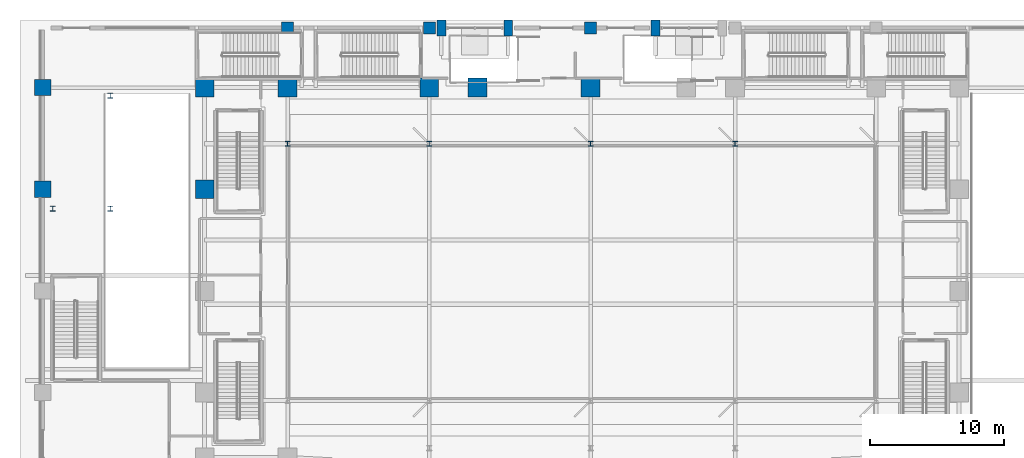
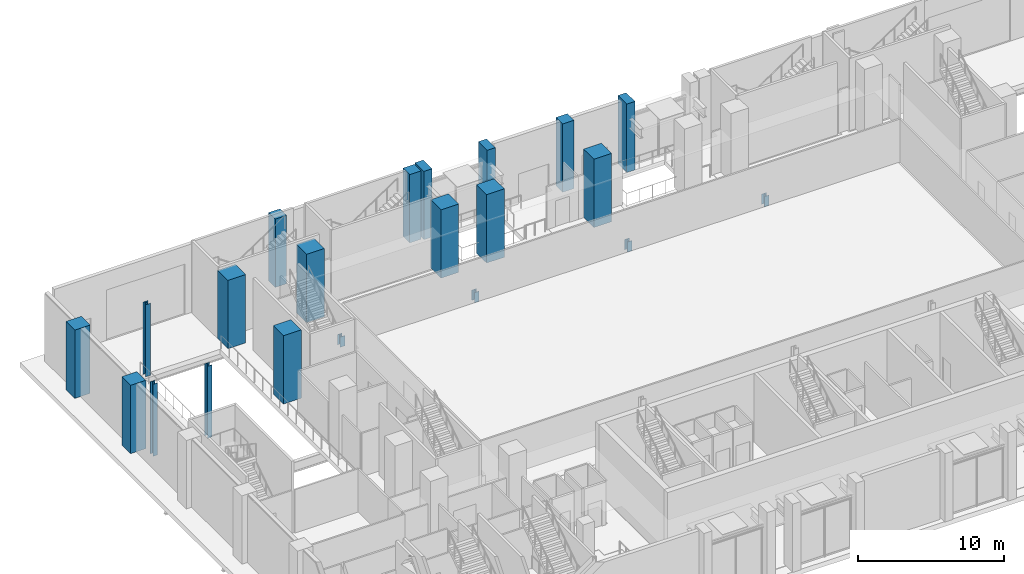
# One storey, part 3 of 36: 21 columns.
"""IFC4 building model written with IfcOpenShell, lengths in metres."""

from ifc_helpers import new_model, si_unit, direction, frame, origin, origin_2d, place, context, subcontext, project, spatial, rectangle, i_section, extrude, material, material_profile, profile_set, type_object, element, save


model = new_model("IFC4")

# Units and contexts
model_context = context("Model", 3, precision=1e-05, world=origin(), true_north=direction((0.0, 1.0)))
body_context = subcontext(model_context, "Body", "Model", "MODEL_VIEW")
ifc_project = project(units=[si_unit("LENGTHUNIT", "METRE"), si_unit("AREAUNIT", "SQUARE_METRE"), si_unit("VOLUMEUNIT", "CUBIC_METRE"), si_unit("PLANEANGLEUNIT", "RADIAN"), si_unit("MASSUNIT", "GRAM", prefix="KILO")], contexts=[model_context])

# Site, building, storey
site_placement = place(None, origin())
site = spatial("IfcSite", under=ifc_project, at=site_placement, CompositionType="ELEMENT")
building_placement = place(site_placement, origin())
building = spatial("IfcBuilding", under=site, at=building_placement, Name="Ndaravel Arena Tower", CompositionType="ELEMENT")
storey_placement = place(building_placement, origin())
storey = spatial("IfcBuildingStorey", under=building, at=storey_placement, Name="L00", CompositionType="ELEMENT", Elevation=0.0)

# Columns
ifc_material_1 = material(Name="Concrete C40/50", Category="concrete")
ifc_material_profile_1 = material_profile(ifc_material_1, rectangle(XDim=0.89990234375, YDim=0.89990234375, at=origin_2d()), Name="RC 900x900")
ifc_profile_set_1 = profile_set([ifc_material_profile_1], Name="Concrete C40/50")
column_type_1 = type_object("IfcColumnType", Name="COL-BSMT-RC900", PredefinedType="COLUMN", material=ifc_profile_set_1)
for number, where, z_axis, x_axis, name in (
    (1, (20.0, 47.449951171875, 0.0), (0.0, 0.0, 1.0), (1.0, 0.0, 0.0), "L00 North Concourse Column 1"),
    (2, (30.60009765625, 47.449951171875, 0.0), (0.0, 0.0, 1.0), (1.0, 0.0, 0.0), "L00 North Concourse Column 2"),
    (3, (42.64990234375, 47.449951171875, 0.0), (0.0, 0.0, 1.0), (1.0, 0.0, 0.0), "L00 North Concourse Column 3"),
):
    element("IfcColumn", number, at=place(storey_placement, frame(where, z_axis=z_axis, x_axis=x_axis)), inside=storey, type_object=column_type_1, Name=name, PredefinedType="COLUMN", context=body_context, shape_type="SweptSolid", body=[
        extrude(rectangle(XDim=0.89990234375, YDim=0.89990234375, at=origin_2d()), origin(), (0.0, 0.0, 1.0), 5.699951171875),
    ])
ifc_material_2 = material(Name="Steel S355", Category="steel")
ifc_material_profile_2 = material_profile(ifc_material_2, i_section(OverallWidth=0.374755859375, OverallDepth=0.37451171875, WebThickness=0.0166015625, FlangeThickness=0.027099609375, FilletRadius=0.01513671875, at=origin_2d()), Name="UC 356x368x202")
ifc_profile_set_2 = profile_set([ifc_material_profile_2], Name="Steel S355")
column_type_2 = type_object("IfcColumnType", Name="COL-CRN-UC202", PredefinedType="COLUMN", material=ifc_profile_set_2)
for number, where, z_axis, x_axis, name in (
    (4, (20.0, 38.800048828125, 0.0), (0.0, 0.0, 1.0), (1.0, 0.0, 0.0), "L00 North Stand Raker Plinth Post 1"),
    (5, (30.60009765625, 38.800048828125, 0.0), (0.0, 0.0, 1.0), (1.0, 0.0, 0.0), "L00 North Stand Raker Plinth Post 2"),
    (6, (42.64990234375, 38.800048828125, 0.0), (0.0, 0.0, 1.0), (1.0, 0.0, 0.0), "L00 North Stand Raker Plinth Post 3"),
    (7, (53.449951171875, 38.800048828125, 0.0), (0.0, 0.0, 1.0), (1.0, 0.0, 0.0), "L00 North Stand Raker Plinth Post 4"),
):
    element("IfcColumn", number, at=place(storey_placement, frame(where, z_axis=z_axis, x_axis=x_axis)), inside=storey, type_object=column_type_2, Name=name, PredefinedType="COLUMN", context=body_context, shape_type="SweptSolid", body=[
        extrude(i_section(OverallWidth=0.374755859375, OverallDepth=0.37451171875, WebThickness=0.0166015625, FlangeThickness=0.027099609375, FilletRadius=0.01513671875, at=origin_2d()), origin(), (0.0, 0.0, 1.0), 0.85009765625),
    ])
for number, where, z_axis, x_axis, name in (
    (8, (2.449951171875, 33.949951171875, 0.0), (0.0, 0.0, 1.0), (1.0, 0.0, 0.0), "L00 Garden Stair ST-GDN-1 Pier 1.1"),
    (9, (6.75, 33.949951171875, 0.0), (0.0, 0.0, 1.0), (1.0, 0.0, 0.0), "L00 Garden Stair ST-GDN-1 Pier 2.1"),
    (10, (6.75, 42.39990234375, 0.0), (0.0, 0.0, 1.0), (1.0, 0.0, 0.0), "L00 Garden Stair ST-GDN-1 Pier 2.2"),
):
    element("IfcColumn", number, at=place(storey_placement, frame(where, z_axis=z_axis, x_axis=x_axis)), inside=storey, type_object=column_type_2, Name=name, PredefinedType="COLUMN", context=body_context, shape_type="SweptSolid", body=[
        extrude(i_section(OverallWidth=0.374755859375, OverallDepth=0.37451171875, WebThickness=0.0166015625, FlangeThickness=0.027099609375, FilletRadius=0.01513671875, at=origin_2d()), origin(), (0.0, 0.0, 1.0), 6.0),
    ])
ifc_material_3 = material(Name="Concrete C60/75", Category="concrete")
ifc_material_profile_3 = material_profile(ifc_material_3, rectangle(XDim=1.199951171875, YDim=1.199951171875, at=origin_2d()), Name="RC 1200x1200")
ifc_profile_set_3 = profile_set([ifc_material_profile_3], Name="Concrete C60/75")
column_type_3 = type_object("IfcColumnType", Name="COL-MEGA-RC1200", PredefinedType="COLUMN", material=ifc_profile_set_3)
for number, where, z_axis, x_axis, name in (
    (11, (1.699951171875, 35.39990234375, 0.0), (0.0, 0.0, 1.0), (1.0, 0.0, 0.0), "L00 Perimeter Mega Column 05"),
    (12, (1.699951171875, 43.0, 0.0), (0.0, 0.0, 1.0), (1.0, 0.0, 0.0), "L00 Perimeter Mega Column 06"),
):
    element("IfcColumn", number, at=place(storey_placement, frame(where, z_axis=z_axis, x_axis=x_axis)), inside=storey, type_object=column_type_3, Name=name, PredefinedType="COLUMN", context=body_context, shape_type="SweptSolid", body=[
        extrude(rectangle(XDim=1.199951171875, YDim=1.199951171875, at=origin_2d()), origin(), (0.0, 0.0, 1.0), 5.699951171875),
    ])
ifc_material_4 = material(Name="Concrete C60/75", Category="concrete")
ifc_material_profile_4 = material_profile(ifc_material_4, rectangle(XDim=1.39990234375, YDim=1.39990234375, at=origin_2d()), Name="RC 1400x1400")
ifc_profile_set_4 = profile_set([ifc_material_profile_4], Name="Concrete C60/75")
column_type_4 = type_object("IfcColumnType", Name="COL-MEGA-RC1400", PredefinedType="COLUMN", material=ifc_profile_set_4)
for number, where, z_axis, x_axis, name in (
    (13, (13.800048828125, 35.39990234375, 0.0), (0.0, 0.0, 1.0), (1.0, 0.0, 0.0), "L00 Arena Ring Mega Column 04"),
    (14, (13.800048828125, 43.0, 0.0), (0.0, 0.0, 1.0), (1.0, 0.0, 0.0), "L00 Arena Ring Mega Column 05"),
    (15, (20.0, 43.0, 0.0), (0.0, 0.0, 1.0), (1.0, 0.0, 0.0), "L00 Arena Ring Mega Column 13"),
    (16, (30.60009765625, 43.0, 0.0), (0.0, 0.0, 1.0), (1.0, 0.0, 0.0), "L00 Arena Ring Mega Column 14"),
    (17, (34.199951171875, 43.0, 0.0), (0.0, 0.0, 1.0), (1.0, 0.0, 0.0), "L00 Arena Ring Mega Column 15"),
    (18, (42.64990234375, 43.0, 0.0), (0.0, 0.0, 1.0), (1.0, 0.0, 0.0), "L00 Arena Ring Mega Column 16"),
):
    element("IfcColumn", number, at=place(storey_placement, frame(where, z_axis=z_axis, x_axis=x_axis)), inside=storey, type_object=column_type_4, Name=name, PredefinedType="COLUMN", context=body_context, shape_type="SweptSolid", body=[
        extrude(rectangle(XDim=1.39990234375, YDim=1.39990234375, at=origin_2d()), origin(), (0.0, 0.0, 1.0), 5.699951171875),
    ])
ifc_material_5 = material(Name="Concrete C40/50", Category="concrete")
ifc_material_profile_5 = material_profile(ifc_material_5, rectangle(XDim=0.64990234375, YDim=1.199951171875, at=origin_2d()), Name="RC 650x1200")
ifc_profile_set_5 = profile_set([ifc_material_profile_5], Name="Concrete C40/50")
column_type_5 = type_object("IfcColumnType", Name="COL-PIL-RC650", PredefinedType="PILASTER", material=ifc_profile_set_5)
for number, where, z_axis, x_axis, name in (
    (19, (31.5, 47.449951171875, 0.0), (0.0, 0.0, 1.0), (1.0, 0.0, 0.0), "L00 North Canopy Pilaster 01"),
    (20, (36.5, 47.449951171875, 0.0), (0.0, 0.0, 1.0), (1.0, 0.0, 0.0), "L00 North Canopy Pilaster 02"),
    (21, (47.5, 47.449951171875, 0.0), (0.0, 0.0, 1.0), (1.0, 0.0, 0.0), "L00 North Canopy Pilaster 03"),
):
    element("IfcColumn", number, at=place(storey_placement, frame(where, z_axis=z_axis, x_axis=x_axis)), inside=storey, type_object=column_type_5, Name=name, PredefinedType="PILASTER", context=body_context, shape_type="SweptSolid", body=[
        extrude(rectangle(XDim=0.64990234375, YDim=1.199951171875, at=origin_2d()), origin(), (0.0, 0.0, 1.0), 5.699951171875),
    ])

save(model, "model.ifc")
